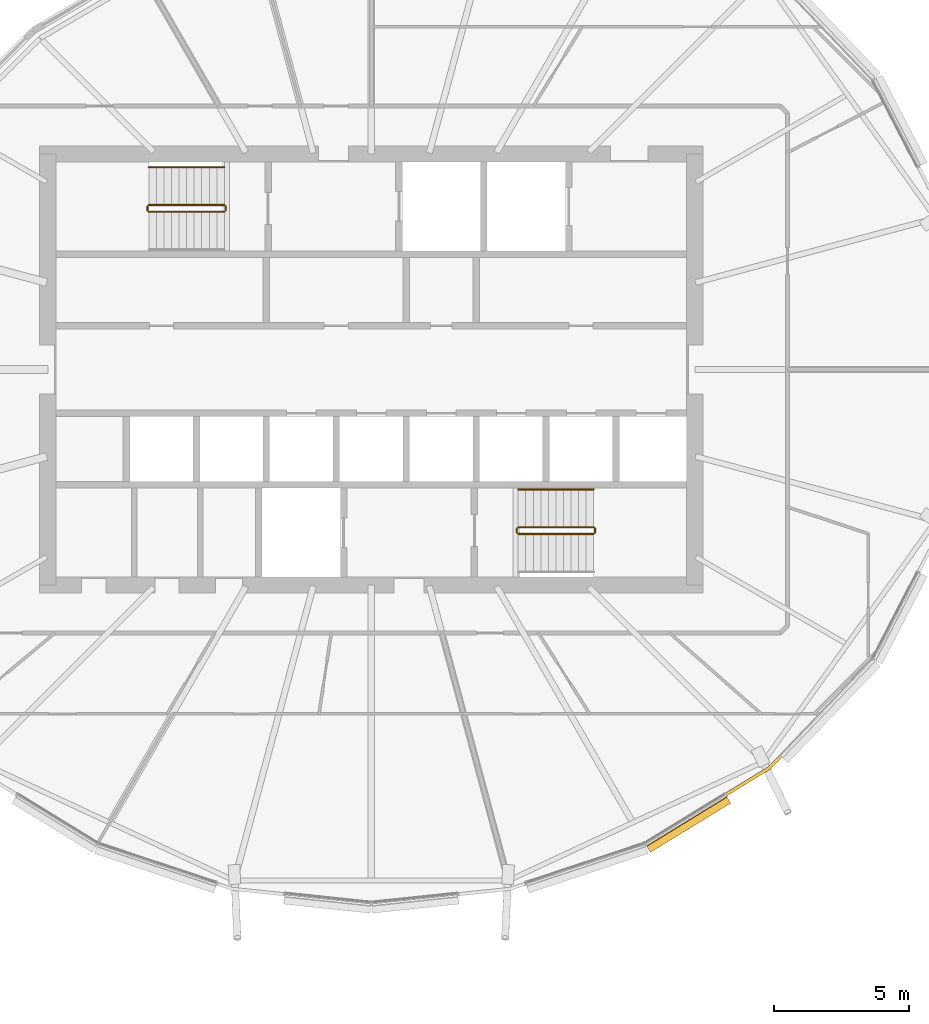
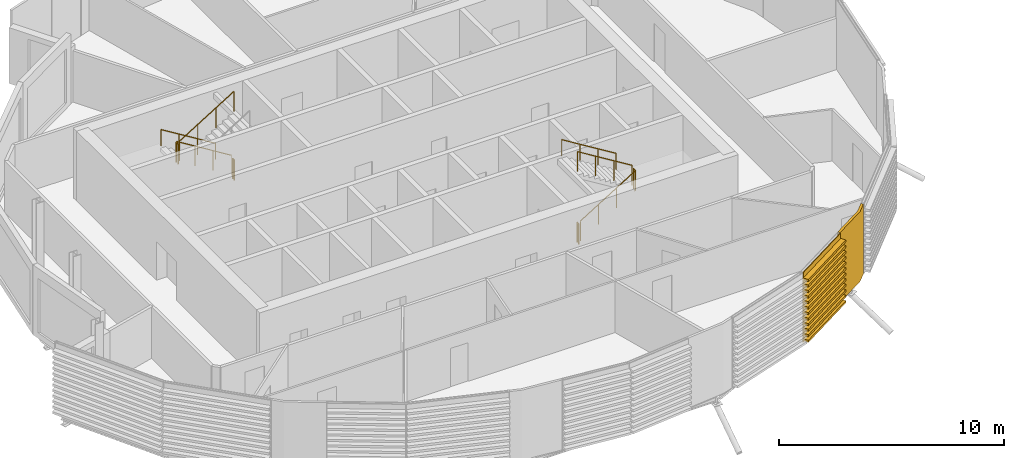
# One storey, part 32 of 36: 10 railings, 2 coverings.
"""IFC4 building model written with IfcOpenShell, lengths in metres."""

from ifc_helpers import new_model, si_unit, direction, frame, origin, origin_2d, place, context, subcontext, project, spatial, polyline, circle, outline, extrude, material, layer, layer_set, material_profile, profile_set, type_object, element, save


model = new_model("IFC4")

# Units and contexts
model_context = context("Model", 3, precision=1e-05, world=origin(), true_north=direction((0.0, 1.0)))
body_context = subcontext(model_context, "Body", "Model", "MODEL_VIEW")
ifc_project = project(units=[si_unit("LENGTHUNIT", "METRE"), si_unit("AREAUNIT", "SQUARE_METRE"), si_unit("VOLUMEUNIT", "CUBIC_METRE"), si_unit("PLANEANGLEUNIT", "RADIAN"), si_unit("MASSUNIT", "GRAM", prefix="KILO")], contexts=[model_context])

# Site, building, storey
site_placement = place(None, origin())
site = spatial("IfcSite", under=ifc_project, at=site_placement, CompositionType="ELEMENT")
building_placement = place(site_placement, origin())
building = spatial("IfcBuilding", under=site, at=building_placement, Name="Rimbun Link Towers", CompositionType="ELEMENT")
storey_placement = place(building_placement, frame((0.0, 0.0, 174.10009765625)))
storey = spatial("IfcBuildingStorey", under=building, at=storey_placement, Name="L42", CompositionType="ELEMENT", Elevation=174.10009765625)

# Covering
ifc_material_1 = material(Name="Terracotta", Category="masonry")
ifc_layer = layer(ifc_material_1, 0.1201171875)
ifc_layer_set = layer_set([ifc_layer], Name="LINK PIER terracotta cladding 120")
covering_type_1 = type_object("IfcCoveringType", Name="LINK PIER terracotta cladding 120", PredefinedType="CLADDING", material=ifc_layer_set)
covering_1_placement = place(storey_placement, origin())
element("IfcCovering", 1, at=covering_1_placement, inside=storey, type_object=covering_type_1, Name="LINK PIER cladding", PredefinedType="CLADDING", context=body_context, shape_type="SweptSolid", body=[
    extrude(outline(polyline([(-16.624267578125, -14.31982421875), (-17.018798828125, -14.731201171875), (-18.6123046875, -15.709716796875), (-18.549560546875, -15.81201171875), (-16.94287109375, -14.825439453125), (-16.53759765625, -14.40283203125), (-16.624267578125, -14.31982421875)])), origin(), (0.0, 0.0, 1.0), 3.7998046875),
])

# Railings
ifc_material_2 = material(Name="Stainless steel grade 316", Category="steel")
railing_type_1 = type_object("IfcRailingType", Name="Stair guard", PredefinedType="GUARDRAIL", material=ifc_material_2)
railing_1_placement = place(storey_placement, frame((-37.199951171875, 6.10009765625, 0.172607421875)))
element("IfcRailing", 2, at=railing_1_placement, inside=storey, type_object=railing_type_1, Name="L42 ST1 stair guard 1", PredefinedType="GUARDRAIL", context=body_context, shape_type="SweptSolid", body=[
    extrude(circle(Radius=0.02392578125, at=origin_2d()), frame((0.0, 0.0, 1.076171875), z_axis=(-0.851089632645, 0.0, 0.525020415988), x_axis=(0.0, -1.0, 0.0)), (0.0, 0.0, 1.0), 3.2900390625),
    extrude(circle(Radius=0.02099609375, at=origin_2d()), origin(), (0.0, 0.0, 1.0), 1.052001953125),
    extrude(circle(Radius=0.02099609375, at=origin_2d()), frame((-0.933349609375, 0.0, 0.57568359375)), (0.0, 0.0, 1.0), 1.052001953125),
    extrude(circle(Radius=0.02099609375, at=origin_2d()), frame((-1.86669921875, 0.0, 1.151611328125)), (0.0, 0.0, 1.0), 1.052001953125),
    extrude(circle(Radius=0.02099609375, at=origin_2d()), frame((-2.800048828125, 0.0, 1.727294921875)), (0.0, 0.0, 1.0), 1.052001953125),
])
railing_2_placement = place(storey_placement, frame((-40.050048828125, 6.050048828125, 1.89990234375)))
element("IfcRailing", 3, at=railing_2_placement, inside=storey, type_object=railing_type_1, Name="L42 ST1 stair guard 2", PredefinedType="GUARDRAIL", context=body_context, shape_type="SweptSolid", body=[
    extrude(circle(Radius=0.02392578125, at=origin_2d()), frame((0.0, 0.0, 1.076171875), z_axis=(0.0, -1.0, 0.0), x_axis=(1.0, 0.0, 0.0)), (0.0, 0.0, 1.0), 0.150146484375),
    extrude(circle(Radius=0.02099609375, at=origin_2d()), origin(), (0.0, 0.0, 1.0), 1.052001953125),
    extrude(circle(Radius=0.02099609375, at=origin_2d()), frame((0.0, -0.150146484375, 0.0)), (0.0, 0.0, 1.0), 1.052001953125),
])
railing_3_placement = place(storey_placement, frame((-40.0, 5.85009765625, 2.072509765625)))
element("IfcRailing", 4, at=railing_3_placement, inside=storey, type_object=railing_type_1, Name="L42 ST1 stair guard 3", PredefinedType="GUARDRAIL", context=body_context, shape_type="SweptSolid", body=[
    extrude(circle(Radius=0.02392578125, at=origin_2d()), frame((0.0, 0.0, 1.076171875), z_axis=(0.851089632645, 0.0, 0.525020415988), x_axis=(0.0, 1.0, 0.0)), (0.0, 0.0, 1.0), 3.2900390625),
    extrude(circle(Radius=0.02099609375, at=origin_2d()), origin(), (0.0, 0.0, 1.0), 1.052001953125),
    extrude(circle(Radius=0.02099609375, at=origin_2d()), frame((0.933349609375, 0.0, 0.57568359375)), (0.0, 0.0, 1.0), 1.052001953125),
    extrude(circle(Radius=0.02099609375, at=origin_2d()), frame((1.86669921875, 0.0, 1.151611328125)), (0.0, 0.0, 1.0), 1.052001953125),
    extrude(circle(Radius=0.02099609375, at=origin_2d()), frame((2.800048828125, 0.0, 1.727294921875)), (0.0, 0.0, 1.0), 1.052001953125),
])
railing_4_placement = place(storey_placement, frame((-37.14990234375, 6.050048828125, 0.0)))
element("IfcRailing", 5, at=railing_4_placement, inside=storey, type_object=railing_type_1, Name="L42 ST1 stair guard 4", PredefinedType="GUARDRAIL", context=body_context, shape_type="SweptSolid", body=[
    extrude(circle(Radius=0.02392578125, at=origin_2d()), frame((0.0, 0.0, 1.076171875), z_axis=(0.0, -1.0, 0.0), x_axis=(1.0, 0.0, 0.0)), (0.0, 0.0, 1.0), 0.150146484375),
    extrude(circle(Radius=0.02099609375, at=origin_2d()), origin(), (0.0, 0.0, 1.0), 1.052001953125),
    extrude(circle(Radius=0.02099609375, at=origin_2d()), frame((0.0, -0.150146484375, 0.0)), (0.0, 0.0, 1.0), 1.052001953125),
])
railing_5_placement = place(storey_placement, frame((-26.300048828125, -6.10009765625, 0.172607421875)))
element("IfcRailing", 6, at=railing_5_placement, inside=storey, type_object=railing_type_1, Name="L42 ST2 stair guard 1", PredefinedType="GUARDRAIL", context=body_context, shape_type="SweptSolid", body=[
    extrude(circle(Radius=0.02392578125, at=origin_2d()), frame((0.0, 0.0, 1.076171875), z_axis=(0.851089632645, 0.0, 0.525020415988), x_axis=(0.0, 1.0, 0.0)), (0.0, 0.0, 1.0), 3.2900390625),
    extrude(circle(Radius=0.02099609375, at=origin_2d()), origin(), (0.0, 0.0, 1.0), 1.052001953125),
    extrude(circle(Radius=0.02099609375, at=origin_2d()), frame((0.933349609375, 0.0, 0.57568359375)), (0.0, 0.0, 1.0), 1.052001953125),
    extrude(circle(Radius=0.02099609375, at=origin_2d()), frame((1.86669921875, 0.0, 1.151611328125)), (0.0, 0.0, 1.0), 1.052001953125),
    extrude(circle(Radius=0.02099609375, at=origin_2d()), frame((2.800048828125, 0.0, 1.727294921875)), (0.0, 0.0, 1.0), 1.052001953125),
])
railing_6_placement = place(storey_placement, frame((-23.449951171875, -6.050048828125, 1.89990234375)))
element("IfcRailing", 7, at=railing_6_placement, inside=storey, type_object=railing_type_1, Name="L42 ST2 stair guard 2", PredefinedType="GUARDRAIL", context=body_context, shape_type="SweptSolid", body=[
    extrude(circle(Radius=0.02392578125, at=origin_2d()), frame((0.0, 0.0, 1.076171875), z_axis=(0.0, 1.0, 0.0), x_axis=(-1.0, 0.0, 0.0)), (0.0, 0.0, 1.0), 0.150146484375),
    extrude(circle(Radius=0.02099609375, at=origin_2d()), origin(), (0.0, 0.0, 1.0), 1.052001953125),
    extrude(circle(Radius=0.02099609375, at=origin_2d()), frame((0.0, 0.150146484375, 0.0)), (0.0, 0.0, 1.0), 1.052001953125),
])
railing_7_placement = place(storey_placement, frame((-23.5, -5.85009765625, 2.072509765625)))
element("IfcRailing", 8, at=railing_7_placement, inside=storey, type_object=railing_type_1, Name="L42 ST2 stair guard 3", PredefinedType="GUARDRAIL", context=body_context, shape_type="SweptSolid", body=[
    extrude(circle(Radius=0.02392578125, at=origin_2d()), frame((0.0, 0.0, 1.076171875), z_axis=(-0.851089632645, 0.0, 0.525020415988), x_axis=(0.0, -1.0, 0.0)), (0.0, 0.0, 1.0), 3.2900390625),
    extrude(circle(Radius=0.02099609375, at=origin_2d()), origin(), (0.0, 0.0, 1.0), 1.052001953125),
    extrude(circle(Radius=0.02099609375, at=origin_2d()), frame((-0.933349609375, 0.0, 0.57568359375)), (0.0, 0.0, 1.0), 1.052001953125),
    extrude(circle(Radius=0.02099609375, at=origin_2d()), frame((-1.86669921875, 0.0, 1.151611328125)), (0.0, 0.0, 1.0), 1.052001953125),
    extrude(circle(Radius=0.02099609375, at=origin_2d()), frame((-2.800048828125, 0.0, 1.727294921875)), (0.0, 0.0, 1.0), 1.052001953125),
])
railing_8_placement = place(storey_placement, frame((-26.35009765625, -6.050048828125, 0.0)))
element("IfcRailing", 9, at=railing_8_placement, inside=storey, type_object=railing_type_1, Name="L42 ST2 stair guard 4", PredefinedType="GUARDRAIL", context=body_context, shape_type="SweptSolid", body=[
    extrude(circle(Radius=0.02392578125, at=origin_2d()), frame((0.0, 0.0, 1.076171875), z_axis=(0.0, 1.0, 0.0), x_axis=(-1.0, 0.0, 0.0)), (0.0, 0.0, 1.0), 0.150146484375),
    extrude(circle(Radius=0.02099609375, at=origin_2d()), origin(), (0.0, 0.0, 1.0), 1.052001953125),
    extrude(circle(Radius=0.02099609375, at=origin_2d()), frame((0.0, 0.150146484375, 0.0)), (0.0, 0.0, 1.0), 1.052001953125),
])
ifc_material_3 = material(Name="Stainless steel grade 316", Category="steel")
railing_type_2 = type_object("IfcRailingType", Name="Stair handrail", PredefinedType="HANDRAIL", material=ifc_material_3)
for number, where, name in (
    (10, (-37.199951171875, 7.5, 0.172607421875), "L42 ST1 stair handrail 1"),
    (11, (-23.5, -4.449951171875, 2.072509765625), "L42 ST2 stair handrail 2"),
):
    element("IfcRailing", number, at=place(storey_placement, frame(where)), inside=storey, type_object=railing_type_2, Name=name, PredefinedType="HANDRAIL", context=body_context, shape_type="SweptSolid", body=[
        extrude(circle(Radius=0.02392578125, at=origin_2d()), frame((0.0, 0.0, 0.8759765625), z_axis=(-0.851089632645, 0.0, 0.525020415988), x_axis=(0.0, -1.0, 0.0)), (0.0, 0.0, 1.0), 3.2900390625),
        extrude(circle(Radius=0.02099609375, at=origin_2d()), origin(), (0.0, 0.0, 1.0), 0.851806640625),
        extrude(circle(Radius=0.02099609375, at=origin_2d()), frame((-0.933349609375, 0.0, 0.57568359375)), (0.0, 0.0, 1.0), 0.851806640625),
        extrude(circle(Radius=0.02099609375, at=origin_2d()), frame((-1.86669921875, 0.0, 1.151611328125)), (0.0, 0.0, 1.0), 0.851806640625),
        extrude(circle(Radius=0.02099609375, at=origin_2d()), frame((-2.800048828125, 0.0, 1.727294921875)), (0.0, 0.0, 1.0), 0.851806640625),
    ])

# Covering
ifc_material_4 = material(Name="Terracotta", Category="masonry")
ifc_material_profile = material_profile(ifc_material_4, outline(polyline([(0.123046875, 0.0), (0.1630859375, 0.0), (0.1630859375, 0.10009765625), (0.423095703125, 0.10009765625), (0.423095703125, 0.219970703125), (0.1630859375, 0.219970703125), (0.1630859375, 0.39990234375), (0.423095703125, 0.39990234375), (0.423095703125, 0.52001953125), (0.1630859375, 0.52001953125), (0.1630859375, 0.699951171875), (0.423095703125, 0.699951171875), (0.423095703125, 0.820068359375), (0.1630859375, 0.820068359375), (0.1630859375, 1.0), (0.423095703125, 1.0), (0.423095703125, 1.1201171875), (0.1630859375, 1.1201171875), (0.1630859375, 1.300048828125), (0.423095703125, 1.300048828125), (0.423095703125, 1.419921875), (0.1630859375, 1.419921875), (0.1630859375, 1.60009765625), (0.423095703125, 1.60009765625), (0.423095703125, 1.719970703125), (0.1630859375, 1.719970703125), (0.1630859375, 1.89990234375), (0.423095703125, 1.89990234375), (0.423095703125, 2.02001953125), (0.1630859375, 2.02001953125), (0.1630859375, 2.199951171875), (0.423095703125, 2.199951171875), (0.423095703125, 2.320068359375), (0.1630859375, 2.320068359375), (0.1630859375, 2.5), (0.423095703125, 2.5), (0.423095703125, 2.6201171875), (0.1630859375, 2.6201171875), (0.1630859375, 2.800048828125), (0.423095703125, 2.800048828125), (0.423095703125, 2.919921875), (0.1630859375, 2.919921875), (0.1630859375, 3.10009765625), (0.423095703125, 3.10009765625), (0.423095703125, 3.219970703125), (0.1630859375, 3.219970703125), (0.1630859375, 3.39990234375), (0.423095703125, 3.39990234375), (0.423095703125, 3.52001953125), (0.1630859375, 3.52001953125), (0.1630859375, 3.800048828125), (0.123046875, 3.800048828125), (0.123046875, 0.0)])), Name="BAGUETTE 120X300")
ifc_profile_set = profile_set([ifc_material_profile], Name="Terracotta")
covering_type_2 = type_object("IfcCoveringType", Name="TERRACOTTA BAGUETTE 120X300 H3800", PredefinedType="CLADDING", material=ifc_profile_set)
covering_2_placement = place(storey_placement, frame((-18.637939453125, -15.725341796875, 0.0), z_axis=(-0.852164119705, -0.523274605811, 0.0), x_axis=(0.523274605811, -0.852164119705, 0.0)))
element("IfcCovering", 12, at=covering_2_placement, inside=storey, type_object=covering_type_2, Name="TERRACOTTA BAGUETTE", PredefinedType="CLADDING", context=body_context, shape_type="SweptSolid", body=[
    extrude(outline(polyline([(0.123046875, 0.0), (0.1630859375, 0.0), (0.1630859375, 0.10009765625), (0.423095703125, 0.10009765625), (0.423095703125, 0.219970703125), (0.1630859375, 0.219970703125), (0.1630859375, 0.39990234375), (0.423095703125, 0.39990234375), (0.423095703125, 0.52001953125), (0.1630859375, 0.52001953125), (0.1630859375, 0.699951171875), (0.423095703125, 0.699951171875), (0.423095703125, 0.820068359375), (0.1630859375, 0.820068359375), (0.1630859375, 1.0), (0.423095703125, 1.0), (0.423095703125, 1.1201171875), (0.1630859375, 1.1201171875), (0.1630859375, 1.300048828125), (0.423095703125, 1.300048828125), (0.423095703125, 1.419921875), (0.1630859375, 1.419921875), (0.1630859375, 1.60009765625), (0.423095703125, 1.60009765625), (0.423095703125, 1.719970703125), (0.1630859375, 1.719970703125), (0.1630859375, 1.89990234375), (0.423095703125, 1.89990234375), (0.423095703125, 2.02001953125), (0.1630859375, 2.02001953125), (0.1630859375, 2.199951171875), (0.423095703125, 2.199951171875), (0.423095703125, 2.320068359375), (0.1630859375, 2.320068359375), (0.1630859375, 2.5), (0.423095703125, 2.5), (0.423095703125, 2.6201171875), (0.1630859375, 2.6201171875), (0.1630859375, 2.800048828125), (0.423095703125, 2.800048828125), (0.423095703125, 2.919921875), (0.1630859375, 2.919921875), (0.1630859375, 3.10009765625), (0.423095703125, 3.10009765625), (0.423095703125, 3.219970703125), (0.1630859375, 3.219970703125), (0.1630859375, 3.39990234375), (0.423095703125, 3.39990234375), (0.423095703125, 3.52001953125), (0.1630859375, 3.52001953125), (0.1630859375, 3.800048828125), (0.123046875, 3.800048828125), (0.123046875, 0.0)])), origin(), (0.0, 0.0, 1.0), 3.494140625),
])

save(model, "model.ifc")
